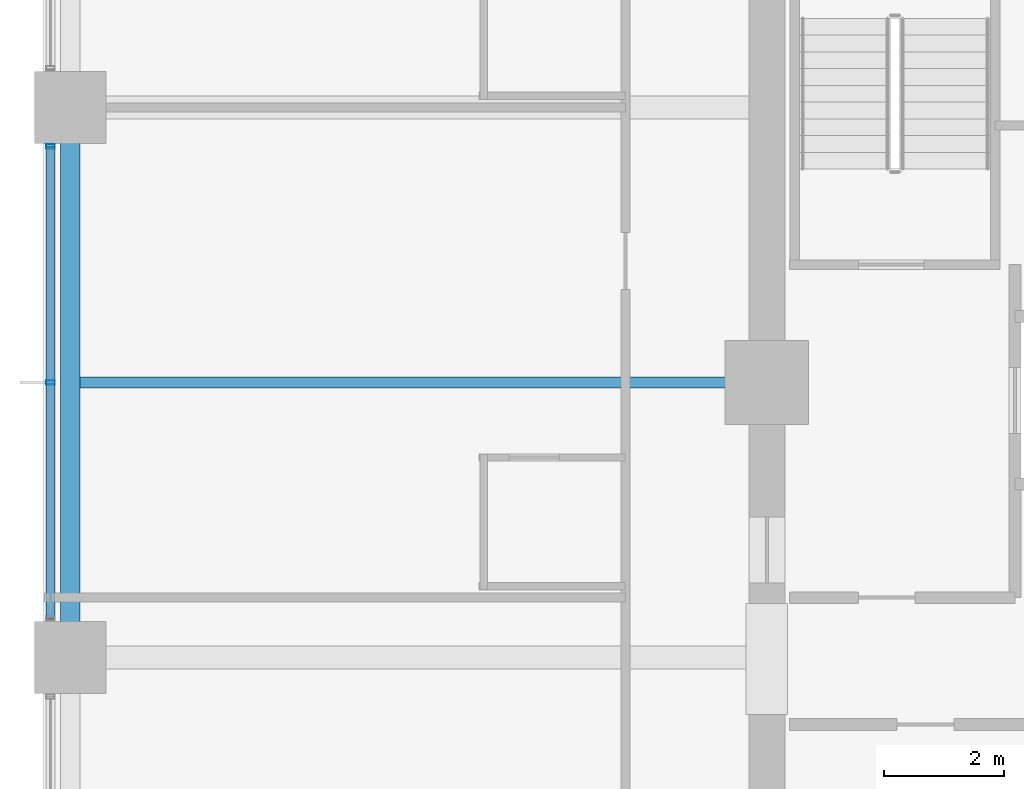
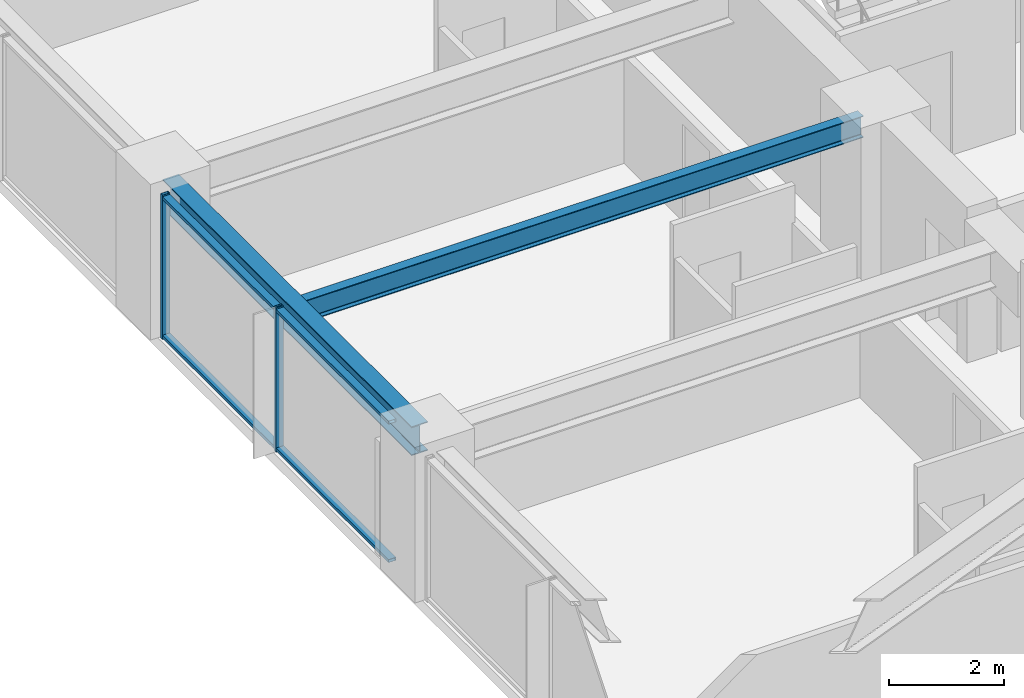
# One storey, part 9 of 38: 4 members, 2 beams, 1 element without a shape of its own.
"""IFC4 building model written with IfcOpenShell, lengths in metres."""

from ifc_helpers import new_model, si_unit, direction, frame, origin, origin_2d, place, context, subcontext, project, spatial, hollow_rectangle, i_section, extrude, material, material_profile, profile_set, type_object, element, aggregate, save


model = new_model("IFC4")

# Units and contexts
model_context = context("Model", 3, precision=1e-05, world=origin(), true_north=direction((0.0, 1.0)))
body_context = subcontext(model_context, "Body", "Model", "MODEL_VIEW")
ifc_project = project(units=[si_unit("LENGTHUNIT", "METRE"), si_unit("AREAUNIT", "SQUARE_METRE"), si_unit("VOLUMEUNIT", "CUBIC_METRE"), si_unit("PLANEANGLEUNIT", "RADIAN"), si_unit("MASSUNIT", "GRAM", prefix="KILO")], contexts=[model_context])

# Site, building, storey
site_placement = place(None, origin())
site = spatial("IfcSite", under=ifc_project, at=site_placement, CompositionType="ELEMENT")
building_placement = place(site_placement, origin())
building = spatial("IfcBuilding", under=site, at=building_placement, Name="Kolvaren Belvedere", CompositionType="ELEMENT")
storey_placement = place(building_placement, frame((0.0, 0.0, 30.39990234375)))
storey = spatial("IfcBuildingStorey", under=building, at=storey_placement, Name="L08", CompositionType="ELEMENT", Elevation=30.39990234375)

# Beams
ifc_material_1 = material(Name="Structural steel ASTM A992 Grade 50", Category="steel")
ifc_material_profile_1 = material_profile(ifc_material_1, i_section(OverallWidth=0.19091796875, OverallDepth=0.4599609375, WebThickness=0.010009765625, FlangeThickness=0.01611328125, FilletRadius=0.014892578125, at=origin_2d()), Name="W18X55")
ifc_profile_set_1 = profile_set([ifc_material_profile_1], Name="Structural steel ASTM A992 Grade 50")
beam_type_1 = type_object("IfcBeamType", Name="BM-JOIST-W18X55", PredefinedType="BEAM", material=ifc_profile_set_1)
beam_1_placement = place(storey_placement, frame((-10.199951171875, 0.0, 2.830078125), z_axis=(-1.0, 0.0, 0.0), x_axis=(0.0, -1.0, 0.0)))
element("IfcBeam", 1, at=beam_1_placement, inside=storey, type_object=beam_type_1, Name="L08 West Centre Floor Beam", PredefinedType="BEAM", context=body_context, shape_type="SweptSolid", body=[
    extrude(i_section(OverallWidth=0.19091796875, OverallDepth=0.4599609375, WebThickness=0.010009765625, FlangeThickness=0.01611328125, FilletRadius=0.014892578125, at=origin_2d()), origin(), (0.0, 0.0, 1.0), 11.1875),
])
ifc_material_2 = material(Name="Structural steel ASTM A992 Grade 50", Category="steel")
ifc_material_profile_2 = material_profile(ifc_material_2, i_section(OverallWidth=0.324951171875, OverallDepth=0.615966796875, WebThickness=0.013916015625, FlangeThickness=0.021484375, FilletRadius=0.02001953125, at=origin_2d()), Name="W24X117")
ifc_profile_set_2 = profile_set([ifc_material_profile_2], Name="Structural steel ASTM A992 Grade 50")
beam_type_2 = type_object("IfcBeamType", Name="BM-SPAN-W24X117", PredefinedType="SPANDREL", material=ifc_profile_set_2)
beam_2_placement = place(storey_placement, frame((-21.550048828125, 4.330078125, 2.752197265625), z_axis=(0.0, -1.0, 0.0), x_axis=(1.0, 0.0, 0.0)))
element("IfcBeam", 2, at=beam_2_placement, inside=storey, type_object=beam_type_2, Name="L08 Perimeter Spandrel W3-W2", PredefinedType="SPANDREL", context=body_context, shape_type="SweptSolid", body=[
    extrude(i_section(OverallWidth=0.324951171875, OverallDepth=0.615966796875, WebThickness=0.013916015625, FlangeThickness=0.021484375, FilletRadius=0.02001953125, at=origin_2d()), origin(), (0.0, 0.0, 1.0), 8.66015625),
])

# Curtain wall, members
ifc_material_3 = material(Name="Anodised pale-metal aluminium AA 6063-T6", Category="aluminium")
curtain_wall_type = type_object("IfcCurtainWallType", Name="CW-Z1-LOW", PredefinedType="NOTDEFINED", material=ifc_material_3)
curtain_wall_placement = place(storey_placement, origin())
curtain_wall = element("IfcCurtainWall", 3, at=curtain_wall_placement, inside=storey, type_object=curtain_wall_type, Name="L08 Unitised Curtain Wall FCW-L08-W-B2", PredefinedType="NOTDEFINED")
ifc_material_4 = material(Name="Anodised pale-metal aluminium AA 6063-T6", Category="aluminium")
ifc_material_profile_3 = material_profile(ifc_material_4, hollow_rectangle(XDim=0.070068359375, YDim=0.14990234375, WallThickness=0.004150390625, at=origin_2d()), Name="ALU-MUL-150X70")
ifc_profile_set_3 = profile_set([ifc_material_profile_3], Name="Anodised pale-metal aluminium AA 6063-T6")
member_type_1 = type_object("IfcMemberType", Name="CW-MUL-150", PredefinedType="MULLION", material=ifc_profile_set_3)
member_1_placement = place(storey_placement, frame((-21.8798828125, 0.0, 0.0), z_axis=(0.0, 0.0, 1.0), x_axis=(0.0, 1.0, 0.0)))
member_1 = element("IfcMember", 4, at=member_1_placement, type_object=member_type_1, Name="FCW-L08-W-B2 Unitised Mullion 2", PredefinedType="MULLION", context=body_context, shape_type="SweptSolid", body=[
    extrude(hollow_rectangle(XDim=0.070068359375, YDim=0.14990234375, WallThickness=0.004150390625, at=origin_2d()), origin(), (0.0, 0.0, 1.0), 3.06005859375),
])
member_2_placement = place(storey_placement, frame((-21.8798828125, 3.945068359375, 0.0), z_axis=(0.0, 0.0, 1.0), x_axis=(0.0, 1.0, 0.0)))
member_2 = element("IfcMember", 5, at=member_2_placement, type_object=member_type_1, Name="FCW-L08-W-B2 Unitised Mullion 3", PredefinedType="MULLION", context=body_context, shape_type="SweptSolid", body=[
    extrude(hollow_rectangle(XDim=0.070068359375, YDim=0.14990234375, WallThickness=0.004150390625, at=origin_2d()), origin(), (0.0, 0.0, 1.0), 3.06005859375),
])
ifc_material_5 = material(Name="Anodised pale-metal aluminium AA 6063-T6", Category="aluminium")
ifc_material_profile_4 = material_profile(ifc_material_5, hollow_rectangle(XDim=0.06494140625, YDim=0.14990234375, WallThickness=0.00390625, at=origin_2d()), Name="ALU-TRN-150X65")
ifc_profile_set_4 = profile_set([ifc_material_profile_4], Name="Anodised pale-metal aluminium AA 6063-T6")
member_type_2 = type_object("IfcMemberType", Name="CW-TRN-150", PredefinedType="USERDEFINED", material=ifc_profile_set_4)
member_3_placement = place(storey_placement, frame((-21.8798828125, -3.945068359375, 0.06005859375), z_axis=(0.0, 1.0, 0.0), x_axis=(0.0, 0.0, 1.0)))
member_3 = element("IfcMember", 6, at=member_3_placement, type_object=member_type_2, Name="FCW-L08-W-B2 Sill Transom", ObjectType="TRANSOM", PredefinedType="USERDEFINED", context=body_context, shape_type="SweptSolid", body=[
    extrude(hollow_rectangle(XDim=0.06494140625, YDim=0.14990234375, WallThickness=0.00390625, at=origin_2d()), origin(), (0.0, 0.0, 1.0), 7.89013671875),
])
member_4_placement = place(storey_placement, frame((-21.8798828125, -3.945068359375, 3.0), z_axis=(0.0, 1.0, 0.0), x_axis=(0.0, 0.0, 1.0)))
member_4 = element("IfcMember", 7, at=member_4_placement, type_object=member_type_2, Name="FCW-L08-W-B2 Head Transom", ObjectType="TRANSOM", PredefinedType="USERDEFINED", context=body_context, shape_type="SweptSolid", body=[
    extrude(hollow_rectangle(XDim=0.06494140625, YDim=0.14990234375, WallThickness=0.00390625, at=origin_2d()), origin(), (0.0, 0.0, 1.0), 7.89013671875),
])
aggregate(curtain_wall, [member_1, member_2, member_3, member_4])

save(model, "model.ifc")
